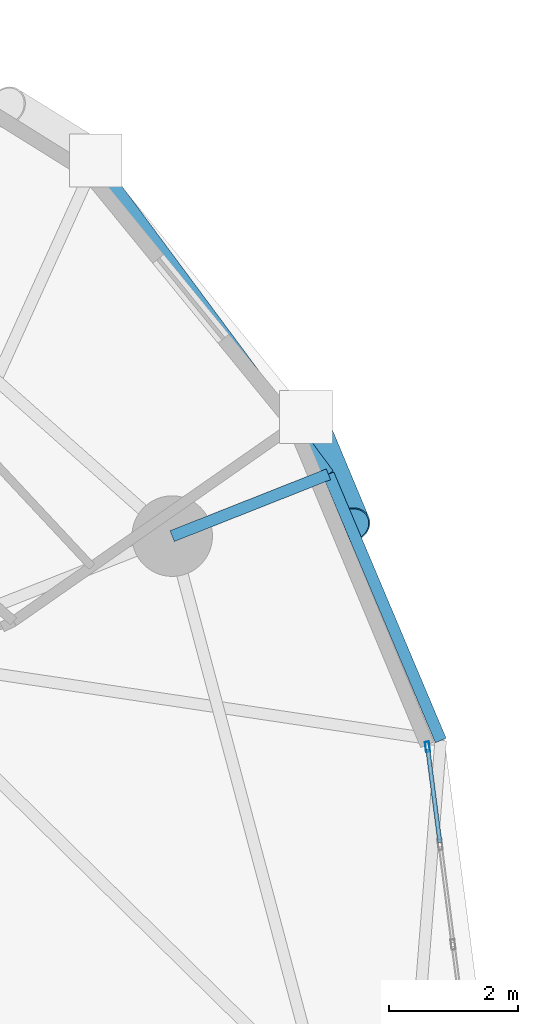
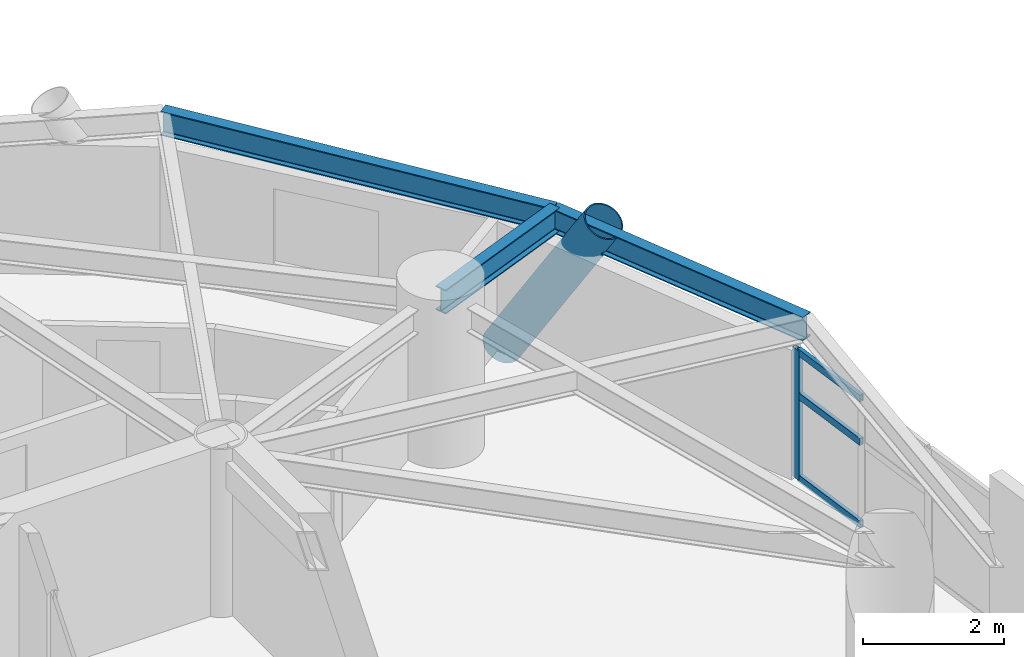
# One storey, part 5 of 19: 5 members, 3 beams, 1 element without a shape of its own.
"""IFC4 building model written with IfcOpenShell, lengths in metres."""

from ifc_helpers import new_model, si_unit, direction, frame, origin, origin_2d, place, context, subcontext, project, spatial, hollow_rectangle, hollow_circle, i_section, extrude, material, layer, layer_set, material_profile, profile_set, type_object, element, aggregate, save


model = new_model("IFC4")

# Units and contexts
model_context = context("Model", 3, precision=1e-05, world=origin(), true_north=direction((0.0, 1.0)))
body_context = subcontext(model_context, "Body", "Model", "MODEL_VIEW")
ifc_project = project(units=[si_unit("LENGTHUNIT", "METRE"), si_unit("AREAUNIT", "SQUARE_METRE"), si_unit("VOLUMEUNIT", "CUBIC_METRE"), si_unit("PLANEANGLEUNIT", "RADIAN"), si_unit("MASSUNIT", "GRAM", prefix="KILO")], contexts=[model_context])

# Site, building, storey
site_placement = place(None, origin())
site = spatial("IfcSite", under=ifc_project, at=site_placement, CompositionType="ELEMENT")
building_placement = place(site_placement, origin())
building = spatial("IfcBuilding", under=site, at=building_placement, Name="Cununo Teusaquillo Station Towers", CompositionType="ELEMENT")
storey_placement = place(building_placement, frame((0.0, 0.0, 160.330078125)))
storey = spatial("IfcBuildingStorey", under=building, at=storey_placement, Name="L50", CompositionType="ELEMENT", Elevation=160.330078125)

# Beams
ifc_material_1 = material(Name="Steel ASTM A572 Grade 50", Category="steel")
ifc_material_profile_1 = material_profile(ifc_material_1, i_section(OverallWidth=0.180908203125, OverallDepth=0.4169921875, WebThickness=0.010986328125, FlangeThickness=0.018310546875, FilletRadius=0.012939453125, at=origin_2d()), Name="W16X57")
ifc_profile_set_1 = profile_set([ifc_material_profile_1], Name="Steel ASTM A572 Grade 50")
beam_type_1 = type_object("IfcBeamType", Name="BM-RAD-G2", PredefinedType="BEAM", material=ifc_profile_set_1)
beam_1_placement = place(storey_placement, frame((26.347412109375, 33.228515625, 2.4814453125), z_axis=(0.929858677495, 0.367916892636, 0.0), x_axis=(-0.367916892636, 0.929858677495, 0.0)))
element("IfcBeam", 1, at=beam_1_placement, inside=storey, type_object=beam_type_1, Name="L50 Tower A Perimeter Overhang Girder 02B", PredefinedType="BEAM", context=body_context, shape_type="SweptSolid", body=[
    extrude(i_section(OverallWidth=0.180908203125, OverallDepth=0.4169921875, WebThickness=0.010986328125, FlangeThickness=0.018310546875, FilletRadius=0.012939453125, at=origin_2d()), origin(), (0.0, 0.0, 1.0), 2.607177734375),
])
ifc_material_2 = material(Name="Steel ASTM A572 Grade 50", Category="steel")
ifc_material_profile_2 = material_profile(ifc_material_2, i_section(OverallWidth=0.180908203125, OverallDepth=0.4169921875, WebThickness=0.010986328125, FlangeThickness=0.018310546875, FilletRadius=0.012939453125, at=origin_2d()), Name="W16X57")
ifc_profile_set_2 = profile_set([ifc_material_profile_2], Name="Steel ASTM A572 Grade 50")
beam_type_2 = type_object("IfcBeamType", Name="BM-RING-Z3", PredefinedType="SPANDREL", material=ifc_profile_set_2)
beam_2_placement = place(storey_placement, frame((30.513916015625, 30.05908203125, 2.4814453125), z_axis=(-0.388777827816, 0.921331536744, 0.0), x_axis=(-0.921331536744, -0.388777827816, 0.0)))
element("IfcBeam", 2, at=beam_2_placement, inside=storey, type_object=beam_type_2, Name="L50 Tower A Spandrel Ring Beam 02", PredefinedType="SPANDREL", context=body_context, shape_type="SweptSolid", body=[
    extrude(i_section(OverallWidth=0.180908203125, OverallDepth=0.4169921875, WebThickness=0.010986328125, FlangeThickness=0.018310546875, FilletRadius=0.012939453125, at=origin_2d()), origin(), (0.0, 0.0, 1.0), 4.481201171875),
])
beam_3_placement = place(storey_placement, frame((28.771728515625, 34.187744140625, 2.4814453125), z_axis=(-0.595872908853, 0.803078748626, 0.0), x_axis=(-0.803078748626, -0.595872908853, 0.0)))
element("IfcBeam", 3, at=beam_3_placement, inside=storey, type_object=beam_type_2, Name="L50 Tower A Spandrel Ring Beam 03", PredefinedType="SPANDREL", context=body_context, shape_type="SweptSolid", body=[
    extrude(i_section(OverallWidth=0.180908203125, OverallDepth=0.4169921875, WebThickness=0.010986328125, FlangeThickness=0.018310546875, FilletRadius=0.012939453125, at=origin_2d()), origin(), (0.0, 0.0, 1.0), 6.059814453125),
])

# Curtain wall, members
ifc_material_3 = material(Name="Operable acoustic tinted low-E double glazing", Category="glass")
ifc_layer = layer(ifc_material_3, 0.179931640625)
ifc_layer_set = layer_set([ifc_layer], Name="Operable acoustic tinted low-E double glazing")
curtain_wall_type = type_object("IfcCurtainWallType", Name="CW-SYS-06", PredefinedType="USERDEFINED", material=ifc_layer_set)
curtain_wall_placement = place(storey_placement, origin())
curtain_wall = element("IfcCurtainWall", 4, at=curtain_wall_placement, inside=storey, type_object=curtain_wall_type, Name="L50 Tower A Facade Curtain Wall C00", ObjectType="OPERABLE GLAZING", PredefinedType="USERDEFINED")
ifc_material_4 = material(Name="Anodised dark bronze aluminium EN AW-6063-T6", Category="aluminium")
ifc_material_profile_3 = material_profile(ifc_material_4, hollow_rectangle(XDim=0.06494140625, YDim=0.159912109375, WallThickness=0.00390625, at=origin_2d()), Name="CW-MULL-65x160")
ifc_profile_set_3 = profile_set([ifc_material_profile_3], Name="Anodised dark bronze aluminium EN AW-6063-T6")
member_type_1 = type_object("IfcMemberType", Name="CWM-160", PredefinedType="MULLION", material=ifc_profile_set_3)
member_1_placement = place(storey_placement, frame((30.308837890625, 29.958984375, 0.0), z_axis=(0.0, 0.0, 1.0), x_axis=(0.991736321922, 0.128292898403, 0.0)))
member_1 = element("IfcMember", 5, at=member_1_placement, type_object=member_type_1, Name="CW-06 mullion 1", PredefinedType="MULLION", context=body_context, shape_type="SweptSolid", body=[
    extrude(hollow_rectangle(XDim=0.06494140625, YDim=0.159912109375, WallThickness=0.00390625, at=origin_2d()), origin(), (0.0, 0.0, 1.0), 2.244873046875),
])
ifc_material_5 = material(Name="Anodised dark bronze aluminium EN AW-6063-T6", Category="aluminium")
ifc_material_profile_4 = material_profile(ifc_material_5, hollow_rectangle(XDim=0.06494140625, YDim=0.1201171875, WallThickness=0.00390625, at=origin_2d()), Name="CW-TRAN-65x120")
ifc_profile_set_4 = profile_set([ifc_material_profile_4], Name="Anodised dark bronze aluminium EN AW-6063-T6")
member_type_2 = type_object("IfcMemberType", Name="CWT-120", PredefinedType="USERDEFINED", material=ifc_profile_set_4)
member_2_placement = place(storey_placement, frame((30.31298828125, 29.9267578125, 0.032470703125), z_axis=(0.128341533193, -0.99173002922, 0.0), x_axis=(0.99173002922, 0.128341533193, 0.0)))
member_2 = element("IfcMember", 6, at=member_2_placement, type_object=member_type_2, Name="CW-06 transom 1.1", ObjectType="TRANSOM", PredefinedType="USERDEFINED", context=body_context, shape_type="SweptSolid", body=[
    extrude(hollow_rectangle(XDim=0.06494140625, YDim=0.1201171875, WallThickness=0.00390625, at=origin_2d()), origin(), (0.0, 0.0, 1.0), 1.46484375),
])
member_3_placement = place(storey_placement, frame((30.31298828125, 29.9267578125, 1.458984375), z_axis=(0.128341533193, -0.99173002922, 0.0), x_axis=(0.99173002922, 0.128341533193, 0.0)))
member_3 = element("IfcMember", 7, at=member_3_placement, type_object=member_type_2, Name="CW-06 transom 1.2", ObjectType="TRANSOM", PredefinedType="USERDEFINED", context=body_context, shape_type="SweptSolid", body=[
    extrude(hollow_rectangle(XDim=0.06494140625, YDim=0.1201171875, WallThickness=0.00390625, at=origin_2d()), origin(), (0.0, 0.0, 1.0), 1.46484375),
])
member_4_placement = place(storey_placement, frame((30.31298828125, 29.9267578125, 2.21240234375), z_axis=(0.128341533193, -0.99173002922, 0.0), x_axis=(0.99173002922, 0.128341533193, 0.0)))
member_4 = element("IfcMember", 8, at=member_4_placement, type_object=member_type_2, Name="CW-06 transom 1.3", ObjectType="TRANSOM", PredefinedType="USERDEFINED", context=body_context, shape_type="SweptSolid", body=[
    extrude(hollow_rectangle(XDim=0.06494140625, YDim=0.1201171875, WallThickness=0.00390625, at=origin_2d()), origin(), (0.0, 0.0, 1.0), 1.46484375),
])
aggregate(curtain_wall, [member_1, member_2, member_3, member_4])

# Member
ifc_material_6 = material(Name="Steel EN 10025-2 S355J2", Category="steel")
ifc_material_profile_5 = material_profile(ifc_material_6, hollow_circle(Radius=0.304931640625, WallThickness=0.02001953125, at=origin_2d()), Name="CHS 610x20")
ifc_profile_set_5 = profile_set([ifc_material_profile_5], Name="Steel EN 10025-2 S355J2")
member_type_3 = type_object("IfcMemberType", Name="MBR-DIAG-Z3", PredefinedType="BRACE", material=ifc_profile_set_5)
member_5_placement = place(storey_placement, frame((28.4208984375, 35.07421875, -0.14013671875), z_axis=(0.20348555978, -0.487667353102, 0.848984204611), x_axis=(0.922881403777, 0.385084295398, 0.0)))
element("IfcMember", 9, at=member_5_placement, inside=storey, type_object=member_type_3, Name="L50 Tower A Folded-Zigzag Diagrid Tube C01", PredefinedType="BRACE", context=body_context, shape_type="SweptSolid", body=[
    extrude(hollow_circle(Radius=0.304931640625, WallThickness=0.02001953125, at=origin_2d()), origin(), (0.0, 0.0, 1.0), 3.427734375),
])

save(model, "model.ifc")
